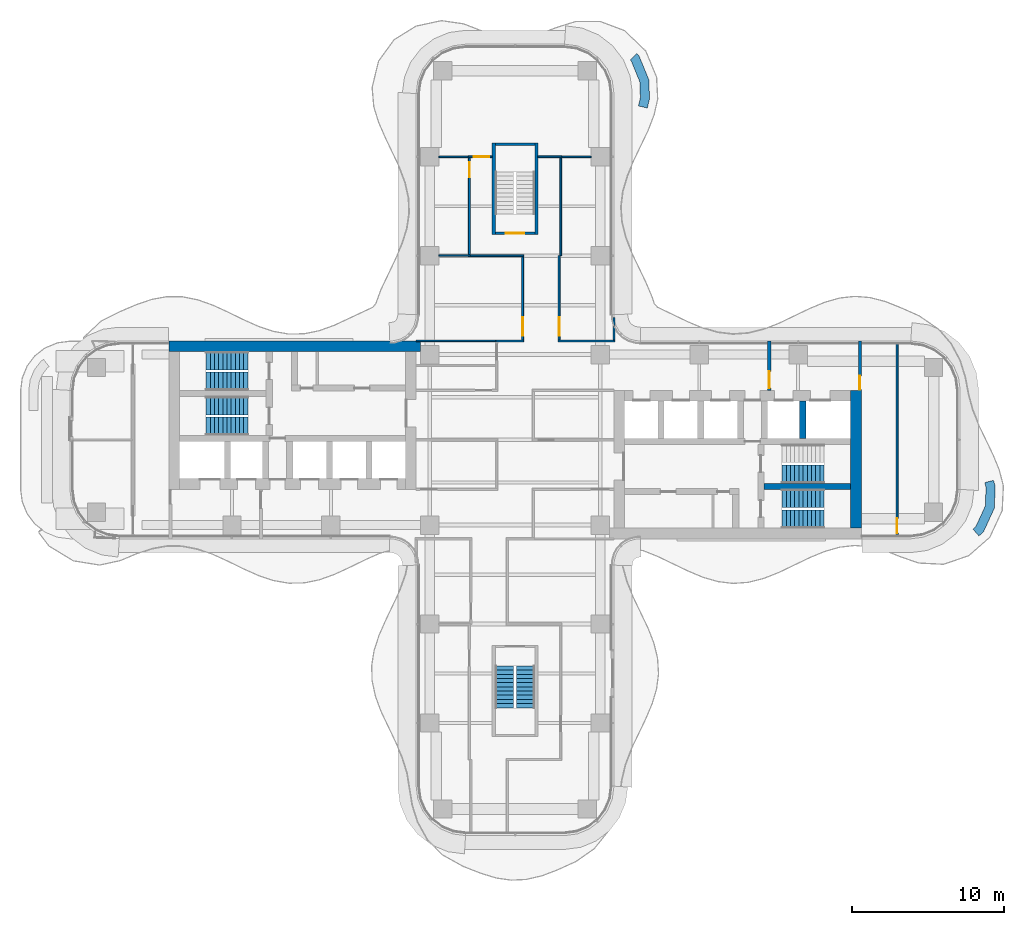
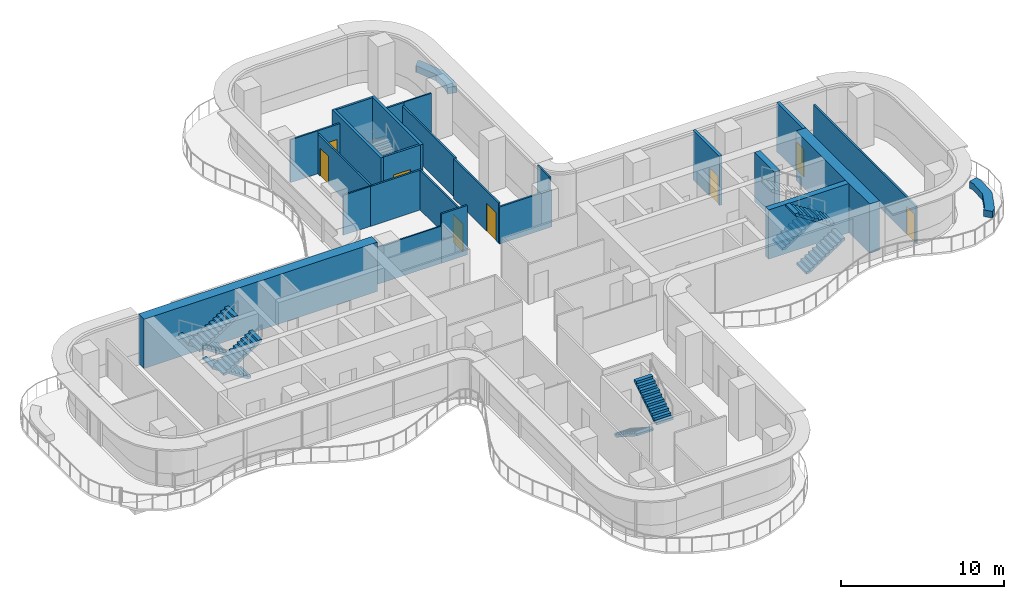
# One storey, part 14 of 17: 27 walls, 9 stair flights, 8 doors, 8 openings, 5 elements without a shape of their own.
"""IFC4 building model written with IfcOpenShell, lengths in metres."""

from ifc_helpers import new_model, si_unit, direction, frame, frame_2d, origin, place, context, subcontext, project, spatial, polyline, rectangle, outline, extrude, source, transform, mapped, material, layer, layer_set, type_object, element, fill, aggregate, save


model = new_model("IFC4")

# Units and contexts
model_context = context("Model", 3, precision=1e-05, world=origin(), true_north=direction((0.0, 1.0)))
body_context = subcontext(model_context, "Body", "Model", "MODEL_VIEW")
ifc_project = project(units=[si_unit("LENGTHUNIT", "METRE"), si_unit("AREAUNIT", "SQUARE_METRE"), si_unit("VOLUMEUNIT", "CUBIC_METRE"), si_unit("PLANEANGLEUNIT", "RADIAN"), si_unit("MASSUNIT", "GRAM", prefix="KILO")], contexts=[model_context])

# Site, building, storey
site_placement = place(None, origin())
site = spatial("IfcSite", under=ifc_project, at=site_placement, CompositionType="ELEMENT")
building_placement = place(site_placement, origin())
building = spatial("IfcBuilding", under=site, at=building_placement, Name="Trellis Farm Tower", CompositionType="ELEMENT")
storey_placement = place(building_placement, frame((0.0, 0.0, 162.0)))
storey = spatial("IfcBuildingStorey", under=building, at=storey_placement, Name="L34", CompositionType="ELEMENT", Elevation=162.0)

# Walls
ifc_material_1 = material(Name="Sandstone faced masonry planter", Category="masonry")
ifc_layer_1 = layer(ifc_material_1, 0.60009765625)
ifc_layer_set_1 = layer_set([ifc_layer_1], Name="PLANTER BED 600")
wall_type_1 = type_object("IfcWallType", Name="PLANTER BED 600", PredefinedType="USERDEFINED", material=ifc_layer_set_1)
placement = place(storey_placement, origin())
element("IfcWall", 1, at=placement, inside=storey, type_object=wall_type_1, Name="PLANTER bed", ObjectType="PLANTER", PredefinedType="USERDEFINED", context=body_context, shape_type="SweptSolid", body=[
    extrude(outline(polyline([(31.547607421875, -3.0615234375), (31.48828125, -4.494384765625), (30.771240234375, -6.055419921875), (30.47705078125, -6.312744140625), (30.08203125, -5.861083984375), (30.279541015625, -5.688232421875), (30.893798828125, -4.3515625), (30.944580078125, -3.127197265625), (30.85986328125, -2.807373046875), (31.440185546875, -2.654052734375), (31.547607421875, -3.0615234375)])), origin(), (0.0, 0.0, 1.0), 0.5),
])
element("IfcWall", 2, at=placement, inside=storey, type_object=wall_type_1, Name="PLANTER bed", ObjectType="PLANTER", PredefinedType="USERDEFINED", context=body_context, shape_type="SweptSolid", body=[
    extrude(outline(polyline([(8.7880859375, 23.66845703125), (8.836669921875, 22.424072265625), (8.692138671875, 21.80224609375), (8.10791015625, 21.93798828125), (8.23388671875, 22.481201171875), (8.192626953125, 23.53857421875), (7.62451171875, 24.91748046875), (7.58154296875, 24.958984375), (7.998046875, 25.390869140625), (8.131591796875, 25.26220703125), (8.7880859375, 23.66845703125)])), origin(), (0.0, 0.0, 1.0), 0.5),
])
ifc_material_2 = material(Name="Concrete C70/85", Category="concrete")
ifc_layer_2 = layer(ifc_material_2, 0.699951171875)
ifc_layer_set_2 = layer_set([ifc_layer_2], Name="CORE OUTER WALL 700 CONCRETE C70/85")
wall_type_2 = type_object("IfcWallType", Name="CORE OUTER WALL 700 CONCRETE C70/85", PredefinedType="SHEAR", material=ifc_layer_set_2)
shared_shape_1 = source(origin(), body_context, "Body", "SweptSolid", [
    extrude(rectangle(XDim=9.050048828125, YDim=0.699951171875, at=frame_2d((4.52490234375, 0.0))), origin(), (0.0, 0.0, 1.0), 3.699951171875),
])
wall_3_placement = place(storey_placement, frame((22.39990234375, -5.800048828125, 0.0), z_axis=(0.0, 0.0, 1.0), x_axis=(0.0, 1.0, 0.0)))
element("IfcWall", 3, at=wall_3_placement, inside=storey, type_object=wall_type_2, Name="Core wall", PredefinedType="SHEAR", context=body_context, shape_type="MappedRepresentation", body=[
    mapped(shared_shape_1, transform((0.0, 0.0, 0.0))),
])
ifc_layer_3 = layer(ifc_material_2, 0.39990234375)
ifc_layer_set_3 = layer_set([ifc_layer_3], Name="CORE INNER WALL 400 CONCRETE C70/85")
wall_type_3 = type_object("IfcWallType", Name="CORE INNER WALL 400 CONCRETE C70/85", PredefinedType="SHEAR", material=ifc_layer_set_3)
shared_shape_2 = source(origin(), body_context, "Body", "SweptSolid", [
    extrude(rectangle(XDim=2.449951171875, YDim=0.39990234375, at=frame_2d((1.22509765625, 0.0))), origin(), (0.0, 0.0, 1.0), 3.699951171875),
])
wall_4_placement = place(storey_placement, frame((18.89990234375, 0.10009765625, 0.0), z_axis=(0.0, 0.0, 1.0), x_axis=(0.0, 1.0, 0.0)))
element("IfcWall", 4, at=wall_4_placement, inside=storey, type_object=wall_type_3, Name="Core wall", PredefinedType="SHEAR", context=body_context, shape_type="MappedRepresentation", body=[
    mapped(shared_shape_2, transform((0.0, 0.0, 0.0))),
])

# Wall, opening, door
ifc_material_3 = material(Name="Masonry blockwork", Category="masonry")
ifc_layer_4 = layer(ifc_material_3, 0.199951171875)
ifc_layer_set_4 = layer_set([ifc_layer_4], Name="FIRE LOBBY PARTITION 200 BLOCKWORK")
wall_type_4 = type_object("IfcWallType", Name="FIRE LOBBY PARTITION 200 BLOCKWORK", PredefinedType="PARTITIONING", material=ifc_layer_set_4)
shared_shape_3 = source(origin(), body_context, "Body", "SweptSolid", [
    extrude(rectangle(XDim=3.25, YDim=0.199951171875, at=frame_2d((1.625, 0.0))), origin(), (0.0, 0.0, 1.0), 3.699951171875),
])
wall_5_placement = place(storey_placement, frame((16.699951171875, 3.25, 0.0), z_axis=(0.0, 0.0, 1.0), x_axis=(0.0, 1.0, 0.0)))
wall_5 = element("IfcWall", 5, at=wall_5_placement, inside=storey, type_object=wall_type_4, Name="Fire-fighting lobby partition", PredefinedType="PARTITIONING", context=body_context, shape_type="MappedRepresentation", body=[
    mapped(shared_shape_3, transform((0.0, 0.0, 0.0))),
])
shared_shape_4 = source(origin(), body_context, "Body", "SweptSolid", [
    extrude(rectangle(XDim=1.10009765625, YDim=2.10009765625, at=frame_2d((0.550048828125, 1.050048828125))), frame((0.0, 0.110107421875, 0.0), z_axis=(0.0, -1.0, 0.0), x_axis=(1.0, 0.0, 0.0)), (0.0, 0.0, 1.0), 0.22021484375),
])
opening_1_placement = place(wall_5_placement, frame((0.14990234375, 0.0, 0.0)))
opening_1 = element("IfcOpeningElement", 6, at=opening_1_placement, cuts=wall_5, Name="Opening DC7", PredefinedType="OPENING", context=body_context, shape_type="MappedRepresentation", body=[
    mapped(shared_shape_4, transform((0.0, 0.0, 0.0))),
])
ifc_material_4 = material(Name="Steel", Category="steel")
door_type_1 = type_object("IfcDoorType", Name="CORE FIRE DOOR 1100 X 2100", OperationType="NOTDEFINED", PredefinedType="DOOR", material=ifc_material_4)
shared_shape_5 = source(origin(), body_context, "Body", "SweptSolid", [
    extrude(rectangle(XDim=1.10009765625, YDim=2.10009765625, at=frame_2d((0.550048828125, 1.050048828125))), frame((0.0, 0.02490234375, 0.0), z_axis=(0.0, -1.0, 0.0), x_axis=(1.0, 0.0, 0.0)), (0.0, 0.0, 1.0), 0.050048828125),
])
door_1_placement = place(opening_1_placement, origin())
door_1 = element("IfcDoor", 7, at=door_1_placement, inside=storey, type_object=door_type_1, Name="Core door", OperationType="SINGLE_SWING_RIGHT", OverallHeight=2.10009765625, OverallWidth=1.10009765625, PredefinedType="DOOR", context=body_context, shape_type="MappedRepresentation", body=[
    mapped(shared_shape_5, transform((0.0, 0.0, 0.0))),
])
fill(opening_1, door_1)

wall_6_placement = place(storey_placement, frame((22.64990234375, 3.25, 0.0), z_axis=(0.0, 0.0, 1.0), x_axis=(0.0, 1.0, 0.0)))
wall_6 = element("IfcWall", 8, at=wall_6_placement, inside=storey, type_object=wall_type_4, Name="Fire-fighting lobby partition", PredefinedType="PARTITIONING", context=body_context, shape_type="MappedRepresentation", body=[
    mapped(shared_shape_3, transform((0.0, 0.0, 0.0))),
])
shared_shape_6 = source(origin(), body_context, "Body", "SweptSolid", [
    extrude(rectangle(XDim=0.89990234375, YDim=2.10009765625, at=frame_2d((0.449951171875, 1.050048828125))), frame((0.0, 0.110107421875, 0.0), z_axis=(0.0, -1.0, 0.0), x_axis=(1.0, 0.0, 0.0)), (0.0, 0.0, 1.0), 0.22021484375),
])
opening_2_placement = place(wall_6_placement, frame((0.050048828125, 0.0, 0.0)))
opening_2 = element("IfcOpeningElement", 9, at=opening_2_placement, cuts=wall_6, Name="Opening DC8", PredefinedType="OPENING", context=body_context, shape_type="MappedRepresentation", body=[
    mapped(shared_shape_6, transform((0.0, 0.0, 0.0))),
])
door_type_2 = type_object("IfcDoorType", Name="CORE FIRE DOOR 900 X 2100", OperationType="NOTDEFINED", PredefinedType="DOOR", material=ifc_material_4)
shared_shape_7 = source(origin(), body_context, "Body", "SweptSolid", [
    extrude(rectangle(XDim=0.89990234375, YDim=2.10009765625, at=frame_2d((0.449951171875, 1.050048828125))), frame((0.0, 0.02490234375, 0.0), z_axis=(0.0, -1.0, 0.0), x_axis=(1.0, 0.0, 0.0)), (0.0, 0.0, 1.0), 0.050048828125),
])
door_2_placement = place(opening_2_placement, origin())
door_2 = element("IfcDoor", 10, at=door_2_placement, inside=storey, type_object=door_type_2, Name="Core door", OperationType="SINGLE_SWING_RIGHT", OverallHeight=2.10009765625, OverallWidth=0.89990234375, PredefinedType="DOOR", context=body_context, shape_type="MappedRepresentation", body=[
    mapped(shared_shape_7, transform((0.0, 0.0, 0.0))),
])
fill(opening_2, door_2)

# Walls
shared_shape_8 = source(origin(), body_context, "Body", "SweptSolid", [
    extrude(rectangle(XDim=16.550048828125, YDim=0.699951171875, at=frame_2d((8.27490234375, 0.0))), origin(), (0.0, 0.0, 1.0), 3.699951171875),
])
wall_7_placement = place(storey_placement, frame((-6.199951171875, 6.14990234375, 0.0), z_axis=(0.0, 0.0, 1.0), x_axis=(-1.0, 0.0, 0.0)))
element("IfcWall", 11, at=wall_7_placement, inside=storey, type_object=wall_type_2, Name="Core wall", PredefinedType="SHEAR", context=body_context, shape_type="MappedRepresentation", body=[
    mapped(shared_shape_8, transform((0.0, 0.0, 0.0))),
])
shared_shape_9 = source(origin(), body_context, "Body", "SweptSolid", [
    extrude(rectangle(XDim=5.699951171875, YDim=0.39990234375, at=frame_2d((2.85009765625, 0.0))), origin(), (0.0, 0.0, 1.0), 3.699951171875),
])
wall_8_placement = place(storey_placement, frame((16.35009765625, -3.050048828125, 0.0), z_axis=(0.0, 0.0, 1.0), x_axis=(1.0, 0.0, 0.0)))
element("IfcWall", 12, at=wall_8_placement, inside=storey, type_object=wall_type_3, Name="Core wall", PredefinedType="SHEAR", context=body_context, shape_type="MappedRepresentation", body=[
    mapped(shared_shape_9, transform((0.0, 0.0, 0.0))),
])
ifc_layer_5 = layer(ifc_material_2, 0.199951171875)
ifc_layer_set_5 = layer_set([ifc_layer_5], Name="CORE STAIR ENCLOSURE WALL 200 CONCRETE C70/85")
wall_type_5 = type_object("IfcWallType", Name="CORE STAIR ENCLOSURE WALL 200 CONCRETE C70/85", PredefinedType="SHEAR", material=ifc_layer_set_5)
shared_shape_10 = source(origin(), body_context, "Body", "SweptSolid", [
    extrude(rectangle(XDim=6.0, YDim=0.199951171875, at=frame_2d((3.0, 0.0))), origin(), (0.0, 0.0, 1.0), 3.699951171875),
])
for number, where, z_axis, x_axis, name in (
    (13, (-1.39990234375, 13.5, 0.0), (0.0, 0.0, 1.0), (0.0, 1.0, 0.0), "Stair enclosure wall"),
    (14, (1.39990234375, 13.5, 0.0), (0.0, 0.0, 1.0), (0.0, 1.0, 0.0), "Stair enclosure wall"),
):
    element("IfcWall", number, at=place(storey_placement, frame(where, z_axis=z_axis, x_axis=x_axis)), inside=storey, type_object=wall_type_5, Name=name, PredefinedType="SHEAR", context=body_context, shape_type="MappedRepresentation", body=[
        mapped(shared_shape_10, transform((0.0, 0.0, 0.0))),
    ])

# Wall, opening, door
ifc_layer_6 = layer(ifc_material_2, 0.14990234375)
ifc_layer_set_6 = layer_set([ifc_layer_6], Name="CORE STAIR ENCLOSURE WALL 150 CONCRETE C70/85")
wall_type_6 = type_object("IfcWallType", Name="CORE STAIR ENCLOSURE WALL 150 CONCRETE C70/85", PredefinedType="SHEAR", material=ifc_layer_set_6)
shared_shape_11 = source(origin(), body_context, "Body", "SweptSolid", [
    extrude(rectangle(XDim=2.60009765625, YDim=0.14990234375, at=frame_2d((1.300048828125, 0.0))), origin(), (0.0, 0.0, 1.0), 3.699951171875),
])
wall_9_placement = place(storey_placement, frame((-1.300048828125, 13.574951171875, 0.0), z_axis=(0.0, 0.0, 1.0), x_axis=(1.0, 0.0, 0.0)))
wall_9 = element("IfcWall", 15, at=wall_9_placement, inside=storey, type_object=wall_type_6, Name="Stair enclosure wall", PredefinedType="SHEAR", context=body_context, shape_type="MappedRepresentation", body=[
    mapped(shared_shape_11, transform((0.0, 0.0, 0.0))),
])
shared_shape_12 = source(origin(), body_context, "Body", "SweptSolid", [
    extrude(rectangle(XDim=1.199951171875, YDim=2.10009765625, at=frame_2d((0.60009765625, 1.050048828125))), frame((0.0, 0.0849609375, 0.0), z_axis=(0.0, -1.0, 0.0), x_axis=(1.0, 0.0, 0.0)), (0.0, 0.0, 1.0), 0.169921875),
])
opening_3_placement = place(wall_9_placement, frame((0.699951171875, 0.0, 0.0)))
opening_3 = element("IfcOpeningElement", 16, at=opening_3_placement, cuts=wall_9, Name="Opening DC173", PredefinedType="OPENING", context=body_context, shape_type="MappedRepresentation", body=[
    mapped(shared_shape_12, transform((0.0, 0.0, 0.0))),
])
door_type_3 = type_object("IfcDoorType", Name="CORE FIRE DOOR 1200 X 2100", OperationType="NOTDEFINED", PredefinedType="DOOR", material=ifc_material_4)
shared_shape_13 = source(origin(), body_context, "Body", "SweptSolid", [
    extrude(rectangle(XDim=1.199951171875, YDim=2.10009765625, at=frame_2d((0.60009765625, 1.050048828125))), frame((0.0, 0.02490234375, 0.0), z_axis=(0.0, -1.0, 0.0), x_axis=(1.0, 0.0, 0.0)), (0.0, 0.0, 1.0), 0.050048828125),
])
door_3_placement = place(opening_3_placement, origin())
door_3 = element("IfcDoor", 17, at=door_3_placement, inside=storey, type_object=door_type_3, Name="Core door", OperationType="SINGLE_SWING_LEFT", OverallHeight=2.10009765625, OverallWidth=1.199951171875, PredefinedType="DOOR", context=body_context, shape_type="MappedRepresentation", body=[
    mapped(shared_shape_13, transform((0.0, 0.0, 0.0))),
])
fill(opening_3, door_3)

# Wall
wall_10_placement = place(storey_placement, frame((-1.300048828125, 19.425048828125, 0.0), z_axis=(0.0, 0.0, 1.0), x_axis=(1.0, 0.0, 0.0)))
element("IfcWall", 18, at=wall_10_placement, inside=storey, type_object=wall_type_6, Name="Stair enclosure wall", PredefinedType="SHEAR", context=body_context, shape_type="MappedRepresentation", body=[
    mapped(shared_shape_11, transform((0.0, 0.0, 0.0))),
])

# Wall, opening, door
ifc_material_5 = material(Name="Plasterboard on steel studs, mineral wool", Category="steel")
ifc_layer_7 = layer(ifc_material_5, 0.125)
ifc_layer_set_7 = layer_set([ifc_layer_7], Name="PARTITION 125 STUD EI 60")
wall_type_7 = type_object("IfcWallType", Name="PARTITION 125 STUD EI 60", PredefinedType="PARTITIONING", material=ifc_layer_set_7)
shared_shape_14 = source(origin(), body_context, "Body", "SweptSolid", [
    extrude(rectangle(XDim=5.47509765625, YDim=0.125, at=frame_2d((2.737548828125, 0.0))), origin(), (0.0, 0.0, 1.0), 2.99658203125),
])
wall_11_placement = place(storey_placement, frame((0.5, 12.03759765625, 0.0), z_axis=(0.0, 0.0, 1.0), x_axis=(0.0, -1.0, 0.0)))
wall_11 = element("IfcWall", 19, at=wall_11_placement, inside=storey, type_object=wall_type_7, Name="Partition PW1", PredefinedType="PARTITIONING", context=body_context, shape_type="MappedRepresentation", body=[
    mapped(shared_shape_14, transform((0.0, 0.0, 0.0))),
])
shared_shape_15 = source(origin(), body_context, "Body", "SweptSolid", [
    extrude(rectangle(XDim=1.199951171875, YDim=2.10009765625, at=frame_2d((0.60009765625, 1.050048828125))), frame((0.0, 0.072509765625, 0.0), z_axis=(0.0, -1.0, 0.0), x_axis=(1.0, 0.0, 0.0)), (0.0, 0.0, 1.0), 0.14501953125),
])
opening_4_placement = place(wall_11_placement, frame((3.987548828125, 0.0, 0.0)))
opening_4 = element("IfcOpeningElement", 20, at=opening_4_placement, cuts=wall_11, Name="Opening D601", PredefinedType="OPENING", context=body_context, shape_type="MappedRepresentation", body=[
    mapped(shared_shape_15, transform((0.0, 0.0, 0.0))),
])
ifc_material_6 = material(Name="Fire-rated timber door leaf in a hollow metal frame", Category="wood")
door_type_4 = type_object("IfcDoorType", Name="DOOR 1200x2100 FD30S", OperationType="NOTDEFINED", PredefinedType="DOOR", material=ifc_material_6)
door_4_placement = place(opening_4_placement, origin())
door_4 = element("IfcDoor", 21, at=door_4_placement, inside=storey, type_object=door_type_4, Name="Door D601", OperationType="SINGLE_SWING_RIGHT", OverallHeight=2.10009765625, OverallWidth=1.199951171875, PredefinedType="DOOR", context=body_context, shape_type="MappedRepresentation", body=[
    mapped(shared_shape_13, transform((0.0, 0.0, 0.0))),
])
fill(opening_4, door_4)

shared_shape_16 = source(origin(), body_context, "Body", "SweptSolid", [
    extrude(rectangle(XDim=5.53759765625, YDim=0.125, at=frame_2d((2.768798828125, 0.0))), origin(), (0.0, 0.0, 1.0), 2.99658203125),
])
wall_12_placement = place(storey_placement, frame((2.89990234375, 12.10009765625, 0.0), z_axis=(0.0, 0.0, 1.0), x_axis=(0.0, -1.0, 0.0)))
wall_12 = element("IfcWall", 22, at=wall_12_placement, inside=storey, type_object=wall_type_7, Name="Partition PW1", PredefinedType="PARTITIONING", context=body_context, shape_type="MappedRepresentation", body=[
    mapped(shared_shape_16, transform((0.0, 0.0, 0.0))),
])
opening_5_placement = place(wall_12_placement, frame((4.050048828125, 0.0, 0.0)))
opening_5 = element("IfcOpeningElement", 23, at=opening_5_placement, cuts=wall_12, Name="Opening D602", PredefinedType="OPENING", context=body_context, shape_type="MappedRepresentation", body=[
    mapped(shared_shape_15, transform((0.0, 0.0, 0.0))),
])
door_5_placement = place(opening_5_placement, origin())
door_5 = element("IfcDoor", 24, at=door_5_placement, inside=storey, type_object=door_type_4, Name="Door D602", OperationType="SINGLE_SWING_RIGHT", OverallHeight=2.10009765625, OverallWidth=1.199951171875, PredefinedType="DOOR", context=body_context, shape_type="MappedRepresentation", body=[
    mapped(shared_shape_13, transform((0.0, 0.0, 0.0))),
])
fill(opening_5, door_5)

# Wall
shared_shape_17 = source(origin(), body_context, "Body", "SweptSolid", [
    extrude(rectangle(XDim=1.468994140625, YDim=0.125, at=frame_2d((0.734375, 0.0))), origin(), (0.0, 0.0, 1.0), 3.699951171875),
])
wall_13_placement = place(storey_placement, frame((6.5, 6.5625, 0.0), z_axis=(0.0, 0.0, 1.0), x_axis=(0.0, 1.0, 0.0)))
element("IfcWall", 25, at=wall_13_placement, inside=storey, type_object=wall_type_7, Name="Partition PW1", PredefinedType="PARTITIONING", context=body_context, shape_type="MappedRepresentation", body=[
    mapped(shared_shape_17, transform((0.0, 0.0, 0.0))),
])

# Wall, opening, door
shared_shape_18 = source(origin(), body_context, "Body", "SweptSolid", [
    extrude(rectangle(XDim=12.60009765625, YDim=0.125, at=frame_2d((6.300048828125, 0.0))), origin(), (0.0, 0.0, 1.0), 2.780029296875),
])
wall_14_placement = place(storey_placement, frame((25.10009765625, 6.300048828125, 0.0), z_axis=(0.0, 0.0, 1.0), x_axis=(0.0, -1.0, 0.0)))
wall_14 = element("IfcWall", 26, at=wall_14_placement, inside=storey, type_object=wall_type_7, Name="Partition PW1", PredefinedType="PARTITIONING", context=body_context, shape_type="MappedRepresentation", body=[
    mapped(shared_shape_18, transform((0.0, 0.0, 0.0))),
])
shared_shape_19 = source(origin(), body_context, "Body", "SweptSolid", [
    extrude(rectangle(XDim=1.0, YDim=2.10009765625, at=frame_2d((0.5, 1.050048828125))), frame((0.0, 0.072509765625, 0.0), z_axis=(0.0, -1.0, 0.0), x_axis=(1.0, 0.0, 0.0)), (0.0, 0.0, 1.0), 0.14501953125),
])
opening_6_placement = place(wall_14_placement, frame((11.449951171875, 0.0, 0.0)))
opening_6 = element("IfcOpeningElement", 27, at=opening_6_placement, cuts=wall_14, Name="Opening D104", PredefinedType="OPENING", context=body_context, shape_type="MappedRepresentation", body=[
    mapped(shared_shape_19, transform((0.0, 0.0, 0.0))),
])
door_type_5 = type_object("IfcDoorType", Name="DOOR 1000x2100 FD30S", OperationType="NOTDEFINED", PredefinedType="DOOR", material=ifc_material_6)
shared_shape_20 = source(origin(), body_context, "Body", "SweptSolid", [
    extrude(rectangle(XDim=1.0, YDim=2.10009765625, at=frame_2d((0.5, 1.050048828125))), frame((0.0, 0.02490234375, 0.0), z_axis=(0.0, -1.0, 0.0), x_axis=(1.0, 0.0, 0.0)), (0.0, 0.0, 1.0), 0.050048828125),
])
door_6_placement = place(opening_6_placement, origin())
door_6 = element("IfcDoor", 28, at=door_6_placement, inside=storey, type_object=door_type_5, Name="Door D104", OperationType="SINGLE_SWING_RIGHT", OverallHeight=2.10009765625, OverallWidth=1.0, PredefinedType="DOOR", context=body_context, shape_type="MappedRepresentation", body=[
    mapped(shared_shape_20, transform((0.0, 0.0, 0.0))),
])
fill(opening_6, door_6)

# Walls
ifc_material_7 = material(Name="Plasterboard on steel studs", Category="steel")
ifc_layer_8 = layer(ifc_material_7, 0.10009765625)
ifc_layer_set_8 = layer_set([ifc_layer_8], Name="PARTITION 100 STUD EI 30")
wall_type_8 = type_object("IfcWallType", Name="PARTITION 100 STUD EI 30", PredefinedType="PARTITIONING", material=ifc_layer_set_8)
shared_shape_21 = source(origin(), body_context, "Body", "SweptSolid", [
    extrude(rectangle(XDim=5.362548828125, YDim=0.10009765625, at=frame_2d((2.68115234375, 0.0))), origin(), (0.0, 0.0, 1.0), 2.780029296875),
])
wall_15_placement = place(storey_placement, frame((-6.5, 6.5, 0.0), z_axis=(0.0, 0.0, 1.0), x_axis=(1.0, 0.0, 0.0)))
element("IfcWall", 29, at=wall_15_placement, inside=storey, type_object=wall_type_8, Name="Partition PW2", PredefinedType="PARTITIONING", context=body_context, shape_type="MappedRepresentation", body=[
    mapped(shared_shape_21, transform((0.0, 0.0, 0.0))),
])
shared_shape_22 = source(origin(), body_context, "Body", "SweptSolid", [
    extrude(rectangle(XDim=1.824951171875, YDim=0.125, at=frame_2d((0.91259765625, 0.0))), origin(), (0.0, 0.0, 1.0), 3.699951171875),
])
wall_16_placement = place(storey_placement, frame((-1.262451171875, 6.5, 0.0), z_axis=(0.0, 0.0, 1.0), x_axis=(1.0, 0.0, 0.0)))
element("IfcWall", 30, at=wall_16_placement, inside=storey, type_object=wall_type_7, Name="Partition PW1", PredefinedType="PARTITIONING", context=body_context, shape_type="MappedRepresentation", body=[
    mapped(shared_shape_22, transform((0.0, 0.0, 0.0))),
])
shared_shape_23 = source(origin(), body_context, "Body", "SweptSolid", [
    extrude(rectangle(XDim=3.72509765625, YDim=0.125, at=frame_2d((1.862548828125, 0.0))), origin(), (0.0, 0.0, 1.0), 2.780029296875),
])
wall_17_placement = place(storey_placement, frame((2.83740234375, 6.5, 0.0), z_axis=(0.0, 0.0, 1.0), x_axis=(1.0, 0.0, 0.0)))
element("IfcWall", 31, at=wall_17_placement, inside=storey, type_object=wall_type_7, Name="Partition PW1", PredefinedType="PARTITIONING", context=body_context, shape_type="MappedRepresentation", body=[
    mapped(shared_shape_23, transform((0.0, 0.0, 0.0))),
])
shared_shape_24 = source(origin(), body_context, "Body", "SweptSolid", [
    extrude(rectangle(XDim=2.0625, YDim=0.10009765625, at=frame_2d((1.03125, 0.0))), origin(), (0.0, 0.0, 1.0), 2.99658203125),
])
wall_18_placement = place(storey_placement, frame((-5.0, 12.10009765625, 0.0), z_axis=(0.0, 0.0, 1.0), x_axis=(1.0, 0.0, 0.0)))
element("IfcWall", 32, at=wall_18_placement, inside=storey, type_object=wall_type_8, Name="Partition PW2", PredefinedType="PARTITIONING", context=body_context, shape_type="MappedRepresentation", body=[
    mapped(shared_shape_24, transform((0.0, 0.0, 0.0))),
])
shared_shape_25 = source(origin(), body_context, "Body", "SweptSolid", [
    extrude(rectangle(XDim=3.625, YDim=0.125, at=frame_2d((1.8125, 0.0))), origin(), (0.0, 0.0, 1.0), 2.99658203125),
])
wall_19_placement = place(storey_placement, frame((0.5625, 12.10009765625, 0.0), z_axis=(0.0, 0.0, 1.0), x_axis=(-1.0, 0.0, 0.0)))
element("IfcWall", 33, at=wall_19_placement, inside=storey, type_object=wall_type_7, Name="Partition PW1", PredefinedType="PARTITIONING", context=body_context, shape_type="MappedRepresentation", body=[
    mapped(shared_shape_25, transform((0.0, 0.0, 0.0))),
])
shared_shape_26 = source(origin(), body_context, "Body", "SweptSolid", [
    extrude(rectangle(XDim=2.0625, YDim=0.10009765625, at=frame_2d((1.03125, 0.0))), origin(), (0.0, 0.0, 1.0), 3.222900390625),
])
for number, where, z_axis, x_axis, name in (
    (34, (-5.0, 18.60009765625, 0.0), (0.0, 0.0, 1.0), (1.0, 0.0, 0.0), "Partition PW2"),
    (35, (2.9375, 18.60009765625, 0.0), (0.0, 0.0, 1.0), (1.0, 0.0, 0.0), "Partition PW2"),
):
    element("IfcWall", number, at=place(storey_placement, frame(where, z_axis=z_axis, x_axis=x_axis)), inside=storey, type_object=wall_type_8, Name=name, PredefinedType="PARTITIONING", context=body_context, shape_type="MappedRepresentation", body=[
        mapped(shared_shape_26, transform((0.0, 0.0, 0.0))),
    ])

# Wall, opening, door
shared_shape_27 = source(origin(), body_context, "Body", "SweptSolid", [
    extrude(rectangle(XDim=1.5625, YDim=0.125, at=frame_2d((0.78125, 0.0))), origin(), (0.0, 0.0, 1.0), 3.222900390625),
])
wall_20_placement = place(storey_placement, frame((-3.0625, 18.60009765625, 0.0), z_axis=(0.0, 0.0, 1.0), x_axis=(1.0, 0.0, 0.0)))
wall_20 = element("IfcWall", 36, at=wall_20_placement, inside=storey, type_object=wall_type_7, Name="Partition PW1", PredefinedType="PARTITIONING", context=body_context, shape_type="MappedRepresentation", body=[
    mapped(shared_shape_27, transform((0.0, 0.0, 0.0))),
])
opening_7_placement = place(wall_20_placement, frame((0.362548828125, 0.0, 0.0)))
opening_7 = element("IfcOpeningElement", 37, at=opening_7_placement, cuts=wall_20, Name="Opening D110", PredefinedType="OPENING", context=body_context, shape_type="MappedRepresentation", body=[
    mapped(shared_shape_19, transform((0.0, 0.0, 0.0))),
])
door_7_placement = place(opening_7_placement, origin())
door_7 = element("IfcDoor", 38, at=door_7_placement, inside=storey, type_object=door_type_5, Name="Door D110", OperationType="SINGLE_SWING_RIGHT", OverallHeight=2.10009765625, OverallWidth=1.0, PredefinedType="DOOR", context=body_context, shape_type="MappedRepresentation", body=[
    mapped(shared_shape_20, transform((0.0, 0.0, 0.0))),
])
fill(opening_7, door_7)

# Wall
wall_21_placement = place(storey_placement, frame((1.5, 18.60009765625, 0.0), z_axis=(0.0, 0.0, 1.0), x_axis=(1.0, 0.0, 0.0)))
element("IfcWall", 39, at=wall_21_placement, inside=storey, type_object=wall_type_7, Name="Partition PW1", PredefinedType="PARTITIONING", context=body_context, shape_type="MappedRepresentation", body=[
    mapped(shared_shape_27, transform((0.0, 0.0, 0.0))),
])

# Wall, opening, door
shared_shape_28 = source(origin(), body_context, "Body", "SweptSolid", [
    extrude(rectangle(XDim=6.400146484375, YDim=0.125, at=frame_2d((3.2001953125, 0.0))), origin(), (0.0, 0.0, 1.0), 2.99658203125),
])
wall_22_placement = place(storey_placement, frame((-3.0, 12.14990234375, 0.0), z_axis=(0.0, 0.0, 1.0), x_axis=(0.0, 1.0, 0.0)))
wall_22 = element("IfcWall", 40, at=wall_22_placement, inside=storey, type_object=wall_type_7, Name="Partition PW1", PredefinedType="PARTITIONING", context=body_context, shape_type="MappedRepresentation", body=[
    mapped(shared_shape_28, transform((0.0, 0.0, 0.0))),
])
opening_8_placement = place(wall_22_placement, frame((5.10009765625, 0.0, 0.0)))
opening_8 = element("IfcOpeningElement", 41, at=opening_8_placement, cuts=wall_22, Name="Opening D109", PredefinedType="OPENING", context=body_context, shape_type="MappedRepresentation", body=[
    mapped(shared_shape_19, transform((0.0, 0.0, 0.0))),
])
door_8_placement = place(opening_8_placement, origin())
door_8 = element("IfcDoor", 42, at=door_8_placement, inside=storey, type_object=door_type_5, Name="Door D109", OperationType="SINGLE_SWING_RIGHT", OverallHeight=2.10009765625, OverallWidth=1.0, PredefinedType="DOOR", context=body_context, shape_type="MappedRepresentation", body=[
    mapped(shared_shape_20, transform((0.0, 0.0, 0.0))),
])
fill(opening_8, door_8)

# Wall
shared_shape_29 = source(origin(), body_context, "Body", "SweptSolid", [
    extrude(rectangle(XDim=6.449951171875, YDim=0.125, at=frame_2d((3.22509765625, 0.0))), origin(), (0.0, 0.0, 1.0), 2.99658203125),
])
wall_23_placement = place(storey_placement, frame((3.0, 18.550048828125, 0.0), z_axis=(0.0, 0.0, 1.0), x_axis=(0.0, -1.0, 0.0)))
element("IfcWall", 43, at=wall_23_placement, inside=storey, type_object=wall_type_7, Name="Partition PW1", PredefinedType="PARTITIONING", context=body_context, shape_type="MappedRepresentation", body=[
    mapped(shared_shape_29, transform((0.0, 0.0, 0.0))),
])

# Stair, stair flights
ifc_material_8 = material(Name="Concrete C50/60", Category="concrete")
stair_type = type_object("IfcStairType", Name="CORE EXIT STAIR 22 RISERS 177 MM", PredefinedType="HALF_TURN_STAIR", material=ifc_material_8)
stair_1 = element("IfcStair", 44, at=placement, inside=storey, type_object=stair_type, Name="Exit stair S", PredefinedType="HALF_TURN_STAIR")
stair_flight_type = type_object("IfcStairFlightType", Name="STAIR FLIGHT 11 RISERS 177 MM", PredefinedType="STRAIGHT", material=ifc_material_8)
shared_shape_30 = source(origin(), body_context, "Body", "SweptSolid", [
    extrude(outline(polyline([(0.0, 0.0), (0.0, 0.17724609375), (0.27490234375, 0.17724609375), (0.27490234375, 0.3544921875), (0.550048828125, 0.3544921875), (0.550048828125, 0.53173828125), (0.824951171875, 0.53173828125), (0.824951171875, 0.708984375), (1.10009765625, 0.708984375), (1.10009765625, 0.886474609375), (1.375, 0.886474609375), (1.375, 1.063720703125), (1.64990234375, 1.063720703125), (1.64990234375, 1.240966796875), (1.925048828125, 1.240966796875), (1.925048828125, 1.418212890625), (2.199951171875, 1.418212890625), (2.199951171875, 1.595458984375), (2.47509765625, 1.595458984375), (2.47509765625, 1.772705078125), (2.75, 1.772705078125), (2.75, 1.949951171875), (2.75, 1.6181640625), (0.23974609375, 0.0), (0.0, 0.0)])), frame((0.0, 0.60009765625, 0.0), z_axis=(0.0, -1.0, 0.0), x_axis=(1.0, 0.0, 0.0)), (0.0, 0.0, 1.0), 1.199951171875),
])
stair_flight_1_placement = place(storey_placement, frame((-0.699951171875, -14.85009765625, 0.0), z_axis=(0.0, 0.0, 1.0), x_axis=(0.0, -1.0, 0.0)))
stair_flight_1 = element("IfcStairFlight", 45, at=stair_flight_1_placement, type_object=stair_flight_type, Name="STS flight 1", NumberOfRisers=11, NumberOfTreads=10, PredefinedType="STRAIGHT", RiserHeight=0.177272727, TreadLength=0.275, context=body_context, shape_type="MappedRepresentation", body=[
    mapped(shared_shape_30, transform((0.0, 0.0, 0.0))),
])
stair_flight_2_placement = place(storey_placement, frame((0.699951171875, -17.60009765625, 1.949951171875), z_axis=(0.0, 0.0, 1.0), x_axis=(0.0, 1.0, 0.0)))
stair_flight_2 = element("IfcStairFlight", 46, at=stair_flight_2_placement, type_object=stair_flight_type, Name="STS flight 2", NumberOfRisers=11, NumberOfTreads=10, PredefinedType="STRAIGHT", RiserHeight=0.177272727, TreadLength=0.275, context=body_context, shape_type="MappedRepresentation", body=[
    mapped(shared_shape_30, transform((0.0, 0.0, 0.0))),
])
aggregate(stair_1, [stair_flight_1, stair_flight_2])

stair_2 = element("IfcStair", 47, at=placement, inside=storey, type_object=stair_type, Name="Exit stair E1", PredefinedType="HALF_TURN_STAIR")
stair_flight_3_placement = place(storey_placement, frame((17.550048828125, -5.199951171875, 0.0), z_axis=(0.0, 0.0, 1.0), x_axis=(1.0, 0.0, 0.0)))
stair_flight_3 = element("IfcStairFlight", 48, at=stair_flight_3_placement, type_object=stair_flight_type, Name="STE1 flight 1", NumberOfRisers=11, NumberOfTreads=10, PredefinedType="STRAIGHT", RiserHeight=0.177272727, TreadLength=0.275, context=body_context, shape_type="MappedRepresentation", body=[
    mapped(shared_shape_30, transform((0.0, 0.0, 0.0))),
])
stair_flight_4_placement = place(storey_placement, frame((20.300048828125, -3.85009765625, 1.949951171875), z_axis=(0.0, 0.0, 1.0), x_axis=(-1.0, 0.0, 0.0)))
stair_flight_4 = element("IfcStairFlight", 49, at=stair_flight_4_placement, type_object=stair_flight_type, Name="STE1 flight 2", NumberOfRisers=11, NumberOfTreads=10, PredefinedType="STRAIGHT", RiserHeight=0.177272727, TreadLength=0.275, context=body_context, shape_type="MappedRepresentation", body=[
    mapped(shared_shape_30, transform((0.0, 0.0, 0.0))),
])
aggregate(stair_2, [stair_flight_3, stair_flight_4])

# Stair, stair flight
stair_3 = element("IfcStair", 50, at=placement, inside=storey, type_object=stair_type, Name="Exit stair E2", PredefinedType="HALF_TURN_STAIR")
stair_flight_5_placement = place(storey_placement, frame((17.550048828125, -2.25, 0.0), z_axis=(0.0, 0.0, 1.0), x_axis=(1.0, 0.0, 0.0)))
stair_flight_5 = element("IfcStairFlight", 51, at=stair_flight_5_placement, type_object=stair_flight_type, Name="STE2 flight 1", NumberOfRisers=11, NumberOfTreads=10, PredefinedType="STRAIGHT", RiserHeight=0.177272727, TreadLength=0.275, context=body_context, shape_type="MappedRepresentation", body=[
    mapped(shared_shape_30, transform((0.0, 0.0, 0.0))),
])
aggregate(stair_3, [stair_flight_5])

# Stair, stair flights
stair_4 = element("IfcStair", 52, at=placement, inside=storey, type_object=stair_type, Name="Exit stair W1", PredefinedType="HALF_TURN_STAIR")
stair_flight_6_placement = place(storey_placement, frame((-17.550048828125, 5.199951171875, 0.0), z_axis=(0.0, 0.0, 1.0), x_axis=(-1.0, 0.0, 0.0)))
stair_flight_6 = element("IfcStairFlight", 53, at=stair_flight_6_placement, type_object=stair_flight_type, Name="STW1 flight 1", NumberOfRisers=11, NumberOfTreads=10, PredefinedType="STRAIGHT", RiserHeight=0.177272727, TreadLength=0.275, context=body_context, shape_type="MappedRepresentation", body=[
    mapped(shared_shape_30, transform((0.0, 0.0, 0.0))),
])
stair_flight_7_placement = place(storey_placement, frame((-20.300048828125, 3.85009765625, 1.949951171875), z_axis=(0.0, 0.0, 1.0), x_axis=(1.0, 0.0, 0.0)))
stair_flight_7 = element("IfcStairFlight", 54, at=stair_flight_7_placement, type_object=stair_flight_type, Name="STW1 flight 2", NumberOfRisers=11, NumberOfTreads=10, PredefinedType="STRAIGHT", RiserHeight=0.177272727, TreadLength=0.275, context=body_context, shape_type="MappedRepresentation", body=[
    mapped(shared_shape_30, transform((0.0, 0.0, 0.0))),
])
aggregate(stair_4, [stair_flight_6, stair_flight_7])

stair_5 = element("IfcStair", 55, at=placement, inside=storey, type_object=stair_type, Name="Exit stair W2", PredefinedType="HALF_TURN_STAIR")
stair_flight_8_placement = place(storey_placement, frame((-17.550048828125, 2.25, 0.0), z_axis=(0.0, 0.0, 1.0), x_axis=(-1.0, 0.0, 0.0)))
stair_flight_8 = element("IfcStairFlight", 56, at=stair_flight_8_placement, type_object=stair_flight_type, Name="STW2 flight 1", NumberOfRisers=11, NumberOfTreads=10, PredefinedType="STRAIGHT", RiserHeight=0.177272727, TreadLength=0.275, context=body_context, shape_type="MappedRepresentation", body=[
    mapped(shared_shape_30, transform((0.0, 0.0, 0.0))),
])
stair_flight_9_placement = place(storey_placement, frame((-20.300048828125, 0.89990234375, 1.949951171875), z_axis=(0.0, 0.0, 1.0), x_axis=(1.0, 0.0, 0.0)))
stair_flight_9 = element("IfcStairFlight", 57, at=stair_flight_9_placement, type_object=stair_flight_type, Name="STW2 flight 2", NumberOfRisers=11, NumberOfTreads=10, PredefinedType="STRAIGHT", RiserHeight=0.177272727, TreadLength=0.275, context=body_context, shape_type="MappedRepresentation", body=[
    mapped(shared_shape_30, transform((0.0, 0.0, 0.0))),
])
aggregate(stair_5, [stair_flight_8, stair_flight_9])

save(model, "model.ifc")
